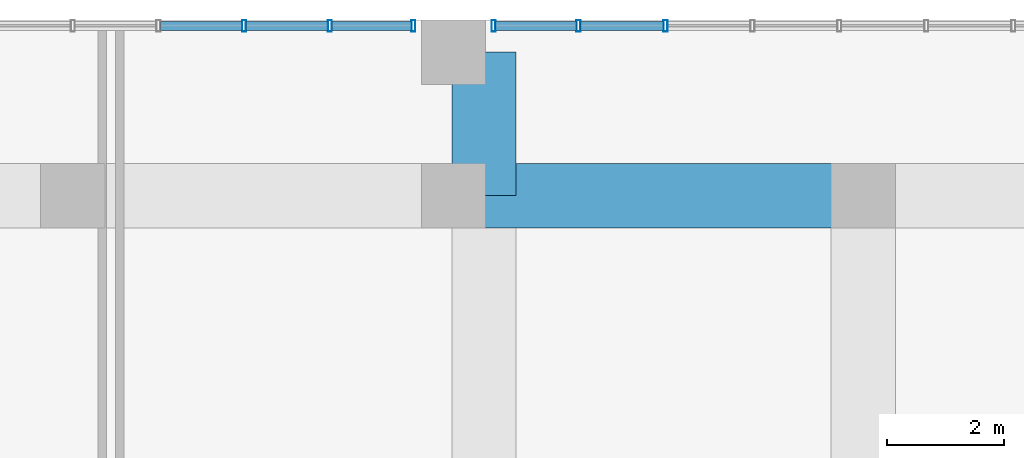
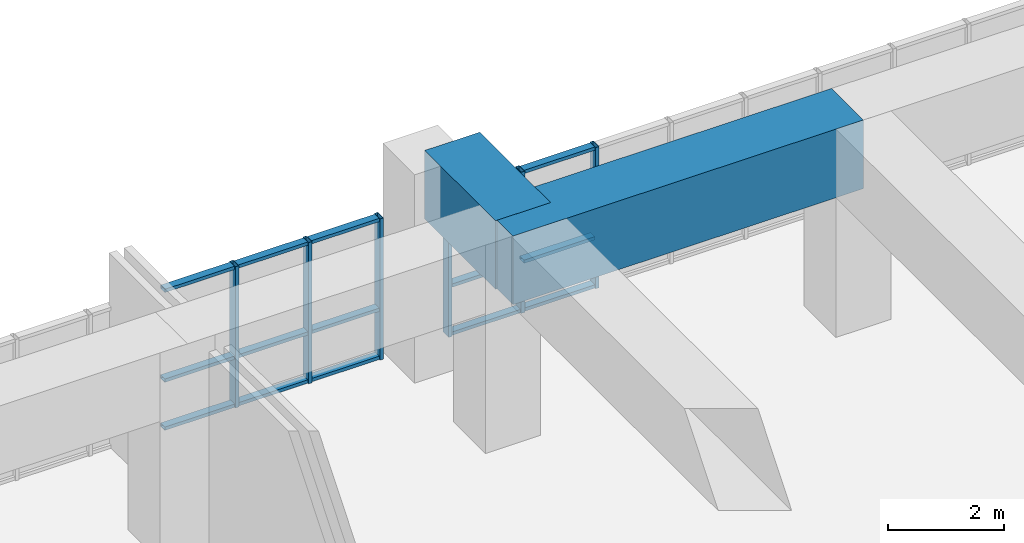
# One storey, part 13 of 28: 21 members, 2 beams, 2 elements without a shape of their own.
"""IFC4 building model written with IfcOpenShell, lengths in metres."""

from ifc_helpers import new_model, si_unit, direction, frame, origin, origin_2d, place, context, subcontext, project, spatial, rectangle, hollow_rectangle, extrude, source, transform, mapped, material, layer, layer_set, material_profile, profile_set, type_object, element, aggregate, save


model = new_model("IFC4")

# Units and contexts
model_context = context("Model", 3, precision=1e-05, world=origin(), true_north=direction((0.0, 1.0)))
body_context = subcontext(model_context, "Body", "Model", "MODEL_VIEW")
ifc_project = project(units=[si_unit("LENGTHUNIT", "METRE"), si_unit("AREAUNIT", "SQUARE_METRE"), si_unit("VOLUMEUNIT", "CUBIC_METRE"), si_unit("PLANEANGLEUNIT", "RADIAN"), si_unit("MASSUNIT", "GRAM", prefix="KILO")], contexts=[model_context])

# Site, building, storey
site_placement = place(None, origin())
site = spatial("IfcSite", under=ifc_project, at=site_placement, CompositionType="ELEMENT")
building_placement = place(site_placement, origin())
building = spatial("IfcBuilding", under=site, at=building_placement, Name="Saelheon Loggia Tower", CompositionType="ELEMENT")
storey_placement = place(building_placement, frame((0.0, 0.0, 15.0)))
storey = spatial("IfcBuildingStorey", under=building, at=storey_placement, Name="L04", CompositionType="ELEMENT", Elevation=15.0)

# Beams
ifc_material_1 = material(Name="Concrete C50/60", Category="concrete")
ifc_material_profile_1 = material_profile(ifc_material_1, rectangle(XDim=1.10009765625, YDim=1.449951171875, at=origin_2d()), Name="RC-1100x1450")
ifc_profile_set_1 = profile_set([ifc_material_profile_1], Name="Concrete C50/60")
beam_type = type_object("IfcBeamType", Name="Beam_Transfer_RC1100x1450", PredefinedType="BEAM", material=ifc_profile_set_1)
shared_shape_1 = source(origin(), body_context, "Body", "SweptSolid", [
    extrude(rectangle(XDim=1.10009765625, YDim=1.449951171875, at=origin_2d()), origin(), (0.0, 0.0, 1.0), 7.0),
])
beam_1_placement = place(storey_placement, frame((44.5, 51.0, 3.675048828125), z_axis=(1.0, 0.0, 0.0), x_axis=(0.0, 1.0, 0.0)))
element("IfcBeam", 1, at=beam_1_placement, inside=storey, type_object=beam_type, Name="BM-L04-EW-51-7", PredefinedType="BEAM", context=body_context, shape_type="MappedRepresentation", body=[
    mapped(shared_shape_1, transform((0.0, 0.0, 0.0), scale=1.0)),
])
shared_shape_2 = source(origin(), body_context, "Body", "SweptSolid", [
    extrude(rectangle(XDim=1.10009765625, YDim=1.449951171875, at=origin_2d()), origin(), (0.0, 0.0, 1.0), 2.449951171875),
])
beam_2_placement = place(storey_placement, frame((45.02001953125, 51.0, 3.675048828125), z_axis=(0.0, 1.0, 0.0), x_axis=(-1.0, 0.0, 0.0)))
element("IfcBeam", 2, at=beam_2_placement, inside=storey, type_object=beam_type, Name="BM-L04-NS-45-7", PredefinedType="BEAM", context=body_context, shape_type="MappedRepresentation", body=[
    mapped(shared_shape_2, transform((0.0, 0.0, 0.0), scale=1.0)),
])

# Curtain wall, members
ifc_material_2 = material(Name="Aluminium 6063-T6 and Low-E IGU", Category="aluminium")
ifc_layer = layer(ifc_material_2, 0.179931640625)
ifc_layer_set = layer_set([ifc_layer], Name="Aluminium 6063-T6 and Low-E IGU")
curtain_wall_type = type_object("IfcCurtainWallType", Name="CW_PodiumClinic", PredefinedType="NOTDEFINED", material=ifc_layer_set)
curtain_wall_1_placement = place(storey_placement, origin())
curtain_wall_1 = element("IfcCurtainWall", 3, at=curtain_wall_1_placement, inside=storey, type_object=curtain_wall_type, Name="L04 North Clinic Curtain Wall 3", PredefinedType="NOTDEFINED")
ifc_material_3 = material(Name="Anodised Aluminium 6063-T6", Category="aluminium")
ifc_material_profile_2 = material_profile(ifc_material_3, hollow_rectangle(XDim=0.070068359375, YDim=0.14990234375, WallThickness=0.0048828125, at=origin_2d()), Name="RHS-150x70x5")
ifc_profile_set_2 = profile_set([ifc_material_profile_2], Name="Anodised Aluminium 6063-T6")
member_type_1 = type_object("IfcMemberType", Name="CW_PodiumClinic_Transom", PredefinedType="USERDEFINED", material=ifc_profile_set_2)
shared_shape_3 = source(origin(), body_context, "Body", "SweptSolid", [
    extrude(hollow_rectangle(XDim=0.070068359375, YDim=0.14990234375, WallThickness=0.0048828125, at=origin_2d()), origin(), (0.0, 0.0, 1.0), 1.4150390625),
])
member_1_placement = place(storey_placement, frame((46.669921875, 53.89990234375, 0.034912109375), z_axis=(1.0, 0.0, 0.0), x_axis=(0.0, 0.0, 1.0)))
member_1 = element("IfcMember", 4, at=member_1_placement, type_object=member_type_1, Name="CW1 transom 2.1", ObjectType="TRANSOM", PredefinedType="USERDEFINED", context=body_context, shape_type="MappedRepresentation", body=[
    mapped(shared_shape_3, transform((0.0, 0.0, 0.0), scale=1.0)),
])
member_2_placement = place(storey_placement, frame((46.669921875, 53.89990234375, 1.050048828125), z_axis=(1.0, 0.0, 0.0), x_axis=(0.0, 0.0, 1.0)))
member_2 = element("IfcMember", 5, at=member_2_placement, type_object=member_type_1, Name="CW1 transom 2.2", ObjectType="TRANSOM", PredefinedType="USERDEFINED", context=body_context, shape_type="MappedRepresentation", body=[
    mapped(shared_shape_3, transform((0.0, 0.0, 0.0), scale=1.0)),
])
member_3_placement = place(storey_placement, frame((46.669921875, 53.89990234375, 2.945068359375), z_axis=(1.0, 0.0, 0.0), x_axis=(0.0, 0.0, 1.0)))
member_3 = element("IfcMember", 6, at=member_3_placement, type_object=member_type_1, Name="CW1 transom 2.3", ObjectType="TRANSOM", PredefinedType="USERDEFINED", context=body_context, shape_type="MappedRepresentation", body=[
    mapped(shared_shape_3, transform((0.0, 0.0, 0.0), scale=1.0)),
])
shared_shape_4 = source(origin(), body_context, "Body", "SweptSolid", [
    extrude(hollow_rectangle(XDim=0.070068359375, YDim=0.14990234375, WallThickness=0.0048828125, at=origin_2d()), origin(), (0.0, 0.0, 1.0), 1.380126953125),
])
member_4_placement = place(storey_placement, frame((45.219970703125, 53.89990234375, 0.034912109375), z_axis=(1.0, 0.0, 0.0), x_axis=(0.0, 0.0, 1.0)))
member_4 = element("IfcMember", 7, at=member_4_placement, type_object=member_type_1, Name="CW1 transom 1.1", ObjectType="TRANSOM", PredefinedType="USERDEFINED", context=body_context, shape_type="MappedRepresentation", body=[
    mapped(shared_shape_4, transform((0.0, 0.0, 0.0), scale=1.0)),
])
member_5_placement = place(storey_placement, frame((45.219970703125, 53.89990234375, 1.050048828125), z_axis=(1.0, 0.0, 0.0), x_axis=(0.0, 0.0, 1.0)))
member_5 = element("IfcMember", 8, at=member_5_placement, type_object=member_type_1, Name="CW1 transom 1.2", ObjectType="TRANSOM", PredefinedType="USERDEFINED", context=body_context, shape_type="MappedRepresentation", body=[
    mapped(shared_shape_4, transform((0.0, 0.0, 0.0), scale=1.0)),
])
member_6_placement = place(storey_placement, frame((45.219970703125, 53.89990234375, 2.945068359375), z_axis=(1.0, 0.0, 0.0), x_axis=(0.0, 0.0, 1.0)))
member_6 = element("IfcMember", 9, at=member_6_placement, type_object=member_type_1, Name="CW1 transom 1.3", ObjectType="TRANSOM", PredefinedType="USERDEFINED", context=body_context, shape_type="MappedRepresentation", body=[
    mapped(shared_shape_4, transform((0.0, 0.0, 0.0), scale=1.0)),
])

curtain_wall_2_placement = place(storey_placement, origin())
curtain_wall_2 = element("IfcCurtainWall", 10, at=curtain_wall_2_placement, inside=storey, type_object=curtain_wall_type, Name="L04 North Clinic Curtain Wall 2", PredefinedType="NOTDEFINED")
shared_shape_5 = source(origin(), body_context, "Body", "SweptSolid", [
    extrude(hollow_rectangle(XDim=0.070068359375, YDim=0.14990234375, WallThickness=0.0048828125, at=origin_2d()), origin(), (0.0, 0.0, 1.0), 1.357421875),
])
member_7_placement = place(storey_placement, frame((42.422607421875, 53.89990234375, 0.034912109375), z_axis=(1.0, 0.0, 0.0), x_axis=(0.0, 0.0, 1.0)))
member_7 = element("IfcMember", 11, at=member_7_placement, type_object=member_type_1, Name="CW1 transom 8.1", ObjectType="TRANSOM", PredefinedType="USERDEFINED", context=body_context, shape_type="MappedRepresentation", body=[
    mapped(shared_shape_5, transform((0.0, 0.0, 0.0), scale=1.0)),
])
member_8_placement = place(storey_placement, frame((42.422607421875, 53.89990234375, 1.050048828125), z_axis=(1.0, 0.0, 0.0), x_axis=(0.0, 0.0, 1.0)))
member_8 = element("IfcMember", 12, at=member_8_placement, type_object=member_type_1, Name="CW1 transom 8.2", ObjectType="TRANSOM", PredefinedType="USERDEFINED", context=body_context, shape_type="MappedRepresentation", body=[
    mapped(shared_shape_5, transform((0.0, 0.0, 0.0), scale=1.0)),
])
member_9_placement = place(storey_placement, frame((42.422607421875, 53.89990234375, 2.945068359375), z_axis=(1.0, 0.0, 0.0), x_axis=(0.0, 0.0, 1.0)))
member_9 = element("IfcMember", 13, at=member_9_placement, type_object=member_type_1, Name="CW1 transom 8.3", ObjectType="TRANSOM", PredefinedType="USERDEFINED", context=body_context, shape_type="MappedRepresentation", body=[
    mapped(shared_shape_5, transform((0.0, 0.0, 0.0), scale=1.0)),
])
shared_shape_6 = source(origin(), body_context, "Body", "SweptSolid", [
    extrude(hollow_rectangle(XDim=0.070068359375, YDim=0.14990234375, WallThickness=0.0048828125, at=origin_2d()), origin(), (0.0, 0.0, 1.0), 1.392578125),
])
member_10_placement = place(storey_placement, frame((40.9599609375, 53.89990234375, 0.034912109375), z_axis=(1.0, 0.0, 0.0), x_axis=(0.0, 0.0, 1.0)))
member_10 = element("IfcMember", 14, at=member_10_placement, type_object=member_type_1, Name="CW1 transom 7.1", ObjectType="TRANSOM", PredefinedType="USERDEFINED", context=body_context, shape_type="MappedRepresentation", body=[
    mapped(shared_shape_6, transform((0.0, 0.0, 0.0), scale=1.0)),
])
member_11_placement = place(storey_placement, frame((40.9599609375, 53.89990234375, 1.050048828125), z_axis=(1.0, 0.0, 0.0), x_axis=(0.0, 0.0, 1.0)))
member_11 = element("IfcMember", 15, at=member_11_placement, type_object=member_type_1, Name="CW1 transom 7.2", ObjectType="TRANSOM", PredefinedType="USERDEFINED", context=body_context, shape_type="MappedRepresentation", body=[
    mapped(shared_shape_6, transform((0.0, 0.0, 0.0), scale=1.0)),
])
member_12_placement = place(storey_placement, frame((40.9599609375, 53.89990234375, 2.945068359375), z_axis=(1.0, 0.0, 0.0), x_axis=(0.0, 0.0, 1.0)))
member_12 = element("IfcMember", 16, at=member_12_placement, type_object=member_type_1, Name="CW1 transom 7.3", ObjectType="TRANSOM", PredefinedType="USERDEFINED", context=body_context, shape_type="MappedRepresentation", body=[
    mapped(shared_shape_6, transform((0.0, 0.0, 0.0), scale=1.0)),
])
shared_shape_7 = source(origin(), body_context, "Body", "SweptSolid", [
    extrude(hollow_rectangle(XDim=0.070068359375, YDim=0.14990234375, WallThickness=0.0048828125, at=origin_2d()), origin(), (0.0, 0.0, 1.0), 1.392333984375),
])
member_13_placement = place(storey_placement, frame((39.49755859375, 53.89990234375, 0.034912109375), z_axis=(1.0, 0.0, 0.0), x_axis=(0.0, 0.0, 1.0)))
member_13 = element("IfcMember", 17, at=member_13_placement, type_object=member_type_1, Name="CW1 transom 6.1", ObjectType="TRANSOM", PredefinedType="USERDEFINED", context=body_context, shape_type="MappedRepresentation", body=[
    mapped(shared_shape_7, transform((0.0, 0.0, 0.0), scale=1.0)),
])
member_14_placement = place(storey_placement, frame((39.49755859375, 53.89990234375, 1.050048828125), z_axis=(1.0, 0.0, 0.0), x_axis=(0.0, 0.0, 1.0)))
member_14 = element("IfcMember", 18, at=member_14_placement, type_object=member_type_1, Name="CW1 transom 6.2", ObjectType="TRANSOM", PredefinedType="USERDEFINED", context=body_context, shape_type="MappedRepresentation", body=[
    mapped(shared_shape_7, transform((0.0, 0.0, 0.0), scale=1.0)),
])
member_15_placement = place(storey_placement, frame((39.49755859375, 53.89990234375, 2.945068359375), z_axis=(1.0, 0.0, 0.0), x_axis=(0.0, 0.0, 1.0)))
member_15 = element("IfcMember", 19, at=member_15_placement, type_object=member_type_1, Name="CW1 transom 6.3", ObjectType="TRANSOM", PredefinedType="USERDEFINED", context=body_context, shape_type="MappedRepresentation", body=[
    mapped(shared_shape_7, transform((0.0, 0.0, 0.0), scale=1.0)),
])
ifc_material_profile_3 = material_profile(ifc_material_3, hollow_rectangle(XDim=0.070068359375, YDim=0.199951171875, WallThickness=0.0048828125, at=origin_2d()), Name="RHS-200x70x5")
ifc_profile_set_3 = profile_set([ifc_material_profile_3], Name="Anodised Aluminium 6063-T6")
member_type_2 = type_object("IfcMemberType", Name="CW_PodiumClinic_Mullion", PredefinedType="MULLION", material=ifc_profile_set_3)
shared_shape_8 = source(origin(), body_context, "Body", "SweptSolid", [
    extrude(hollow_rectangle(XDim=0.070068359375, YDim=0.199951171875, WallThickness=0.0048828125, at=origin_2d()), origin(), (0.0, 0.0, 1.0), 2.97998046875),
])
member_16_placement = place(storey_placement, frame((40.925048828125, 53.89990234375, 0.0), z_axis=(0.0, 0.0, 1.0), x_axis=(1.0, 0.0, 0.0)))
member_16 = element("IfcMember", 20, at=member_16_placement, type_object=member_type_2, Name="CW1 mullion 7", PredefinedType="MULLION", context=body_context, shape_type="MappedRepresentation", body=[
    mapped(shared_shape_8, transform((0.0, 0.0, 0.0), scale=1.0)),
])
member_17_placement = place(storey_placement, frame((42.387451171875, 53.89990234375, 0.0), z_axis=(0.0, 0.0, 1.0), x_axis=(1.0, 0.0, 0.0)))
member_17 = element("IfcMember", 21, at=member_17_placement, type_object=member_type_2, Name="CW1 mullion 8", PredefinedType="MULLION", context=body_context, shape_type="MappedRepresentation", body=[
    mapped(shared_shape_8, transform((0.0, 0.0, 0.0), scale=1.0)),
])
member_18_placement = place(storey_placement, frame((43.81494140625, 53.89990234375, 0.0), z_axis=(0.0, 0.0, 1.0), x_axis=(1.0, 0.0, 0.0)))
member_18 = element("IfcMember", 22, at=member_18_placement, type_object=member_type_2, Name="CW1 mullion 9", PredefinedType="MULLION", context=body_context, shape_type="MappedRepresentation", body=[
    mapped(shared_shape_8, transform((0.0, 0.0, 0.0), scale=1.0)),
])
aggregate(curtain_wall_2, [member_16, member_17, member_18, member_13, member_14, member_15, member_10, member_11, member_12, member_7, member_8, member_9])

# Member
member_19_placement = place(storey_placement, frame((45.18505859375, 53.89990234375, 0.0), z_axis=(0.0, 0.0, 1.0), x_axis=(1.0, 0.0, 0.0)))
member_19 = element("IfcMember", 23, at=member_19_placement, type_object=member_type_2, Name="CW1 mullion 1", PredefinedType="MULLION", context=body_context, shape_type="MappedRepresentation", body=[
    mapped(shared_shape_8, transform((0.0, 0.0, 0.0), scale=1.0)),
])

member_20_placement = place(storey_placement, frame((46.635009765625, 53.89990234375, 0.0), z_axis=(0.0, 0.0, 1.0), x_axis=(1.0, 0.0, 0.0)))
member_20 = element("IfcMember", 24, at=member_20_placement, type_object=member_type_2, Name="CW1 mullion 2", PredefinedType="MULLION", context=body_context, shape_type="MappedRepresentation", body=[
    mapped(shared_shape_8, transform((0.0, 0.0, 0.0), scale=1.0)),
])

member_21_placement = place(storey_placement, frame((48.1201171875, 53.89990234375, 0.0), z_axis=(0.0, 0.0, 1.0), x_axis=(1.0, 0.0, 0.0)))
member_21 = element("IfcMember", 25, at=member_21_placement, type_object=member_type_2, Name="CW1 mullion 3", PredefinedType="MULLION", context=body_context, shape_type="MappedRepresentation", body=[
    mapped(shared_shape_8, transform((0.0, 0.0, 0.0), scale=1.0)),
])

aggregate(curtain_wall_1, [member_19, member_20, member_21, member_4, member_5, member_6, member_1, member_2, member_3])

save(model, "model.ifc")
